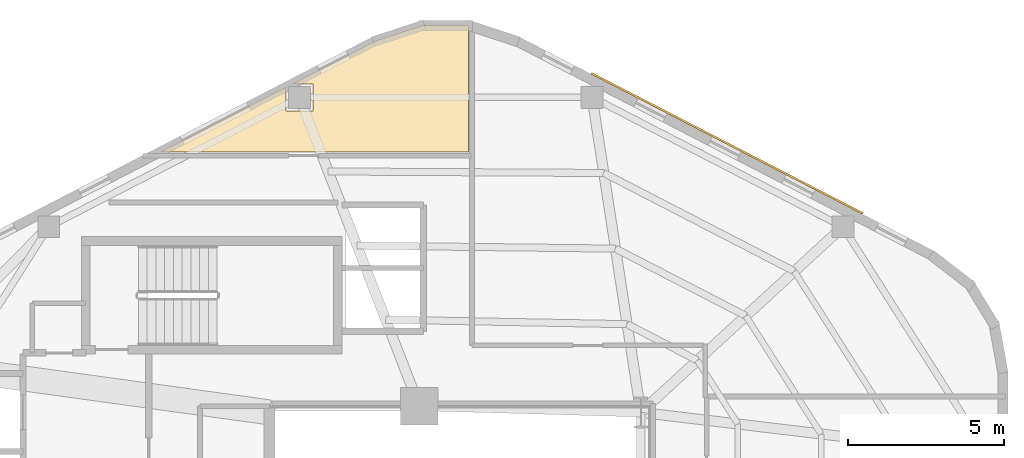
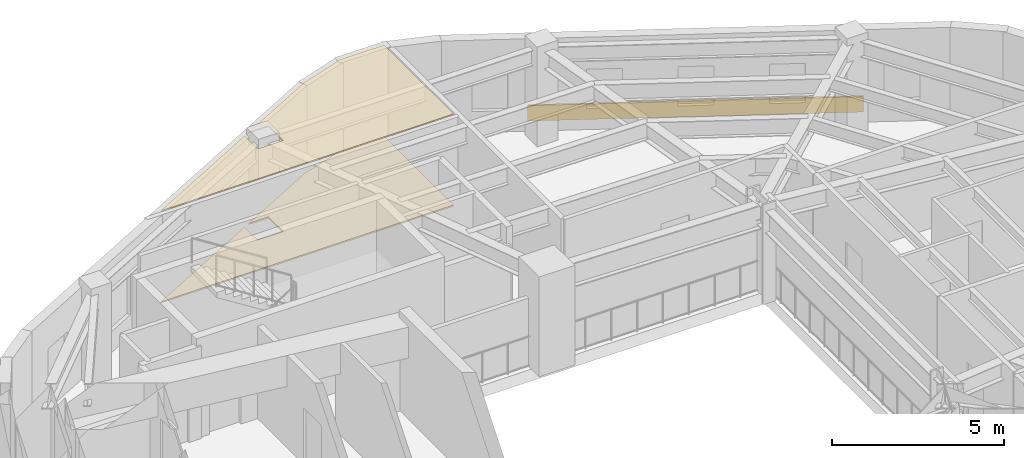
# One storey, part 9 of 9: 3 coverings.
"""IFC4 building model written with IfcOpenShell, lengths in metres."""

from ifc_helpers import new_model, si_unit, direction, frame, origin, origin_2d, place, context, subcontext, project, spatial, polyline, rectangle, outline, extrude, material, layer, layer_set, type_object, element, save


model = new_model("IFC4")

# Units and contexts
model_context = context("Model", 3, precision=1e-05, world=origin(), true_north=direction((0.0, 1.0)))
body_context = subcontext(model_context, "Body", "Model", "MODEL_VIEW")
ifc_project = project(units=[si_unit("LENGTHUNIT", "METRE"), si_unit("AREAUNIT", "SQUARE_METRE"), si_unit("VOLUMEUNIT", "CUBIC_METRE"), si_unit("PLANEANGLEUNIT", "RADIAN"), si_unit("MASSUNIT", "GRAM", prefix="KILO"), si_unit("THERMODYNAMICTEMPERATUREUNIT", "KELVIN"), si_unit("POWERUNIT", "WATT")], contexts=[model_context])

# Site, building, storey
site_placement = place(None, origin())
site = spatial("IfcSite", under=ifc_project, at=site_placement, CompositionType="ELEMENT")
building_placement = place(site_placement, origin())
building = spatial("IfcBuilding", under=site, at=building_placement, Name="Skarre Station Tower", CompositionType="ELEMENT")
storey_placement = place(building_placement, frame((0.0, 0.0, 220.60009765625)))
storey = spatial("IfcBuildingStorey", under=building, at=storey_placement, Name="L60", CompositionType="ELEMENT", Elevation=220.60009765625)

# Coverings
ifc_material_1 = material(Name="Honed Jura Limestone & Calcium-Sulfate Access Tile", Category="masonry")
ifc_layer_1 = layer(ifc_material_1, 0.050048828125, Name="Honed Jura Limestone & Calcium-Sulfate Access Tile")
ifc_layer_set_1 = layer_set([ifc_layer_1], Name="Honed Jura Limestone & Calcium-Sulfate Access Tile")
covering_type_1 = type_object("IfcCoveringType", Name="Honed Limestone & Raised Access Floor Finish 50", PredefinedType="FLOORING", material=ifc_layer_set_1)
covering_1_placement = place(storey_placement, origin())
element("IfcCovering", 1, at=covering_1_placement, inside=storey, type_object=covering_type_1, Name="L60 Limestone Access Flooring 1", PredefinedType="FLOORING", context=body_context, shape_type="SweptSolid", body=[
    extrude(outline(polyline([(33.919921875, 41.74609375), (32.429931640625, 41.74609375), (30.9541015625, 41.260009765625), (28.27490234375, 39.876953125), (28.94091796875, 39.876953125), (28.94091796875, 39.01708984375), (28.0810546875, 39.01708984375), (28.0810546875, 39.777099609375), (24.05810546875, 37.699951171875), (33.919921875, 37.699951171875), (33.919921875, 41.74609375)])), origin(), (0.0, 0.0, 1.0), 0.0498046875),
])
ifc_material_2 = material(Name="Perforated Nordic Birch Veneer & Mineral Wool", Category="wood")
ifc_layer_2 = layer(ifc_material_2, 0.044921875, Name="Perforated Nordic Birch Veneer & Mineral Wool")
ifc_layer_set_2 = layer_set([ifc_layer_2], Name="Perforated Nordic Birch Veneer & Mineral Wool")
covering_type_2 = type_object("IfcCoveringType", Name="Nordic Birch Slatted Acoustic Suspended Ceiling 45", PredefinedType="CEILING", material=ifc_layer_set_2)
covering_2_placement = place(storey_placement, frame((0.0, 0.0, 3.244873046875)))
element("IfcCovering", 2, at=covering_2_placement, inside=storey, type_object=covering_type_2, Name="L60 Acoustic Birch Ceiling 1", PredefinedType="CEILING", context=body_context, shape_type="SweptSolid", body=[
    extrude(outline(polyline([(33.919921875, 41.74609375), (32.429931640625, 41.74609375), (30.9541015625, 41.260009765625), (28.27490234375, 39.876953125), (28.94091796875, 39.876953125), (28.94091796875, 39.01708984375), (28.0810546875, 39.01708984375), (28.0810546875, 39.777099609375), (24.05810546875, 37.699951171875), (33.919921875, 37.699951171875), (33.919921875, 41.74609375)])), origin(), (0.0, 0.0, 1.0), 0.044921875),
])
ifc_material_3 = material(Name="Honed Pale Nordic Granite Cladding", Category="masonry")
ifc_layer_3 = layer(ifc_material_3, 0.06005859375, Name="Honed Pale Nordic Granite Cladding")
ifc_layer_set_3 = layer_set([ifc_layer_3], Name="Honed Pale Nordic Granite Cladding")
covering_type_3 = type_object("IfcCoveringType", Name="Precast Pier Spandrel Reveal Cladding 60", PredefinedType="CLADDING", material=ifc_layer_set_3)
covering_3_placement = place(storey_placement, frame((42.218017578125, 37.971923828125, 0.14501953125), z_axis=(0.0, 0.0, 1.0), x_axis=(-0.88858521071, 0.458711590553, 0.0)))
element("IfcCovering", 3, at=covering_3_placement, inside=storey, type_object=covering_type_3, Name="L60 Facet 0 Granite Spandrel Cladding", PredefinedType="CLADDING", context=body_context, shape_type="SweptSolid", body=[
    extrude(rectangle(XDim=9.800048828125, YDim=0.06005859375, at=origin_2d()), origin(), (0.0, 0.0, 1.0), 0.550048828125),
])

save(model, "model.ifc")
